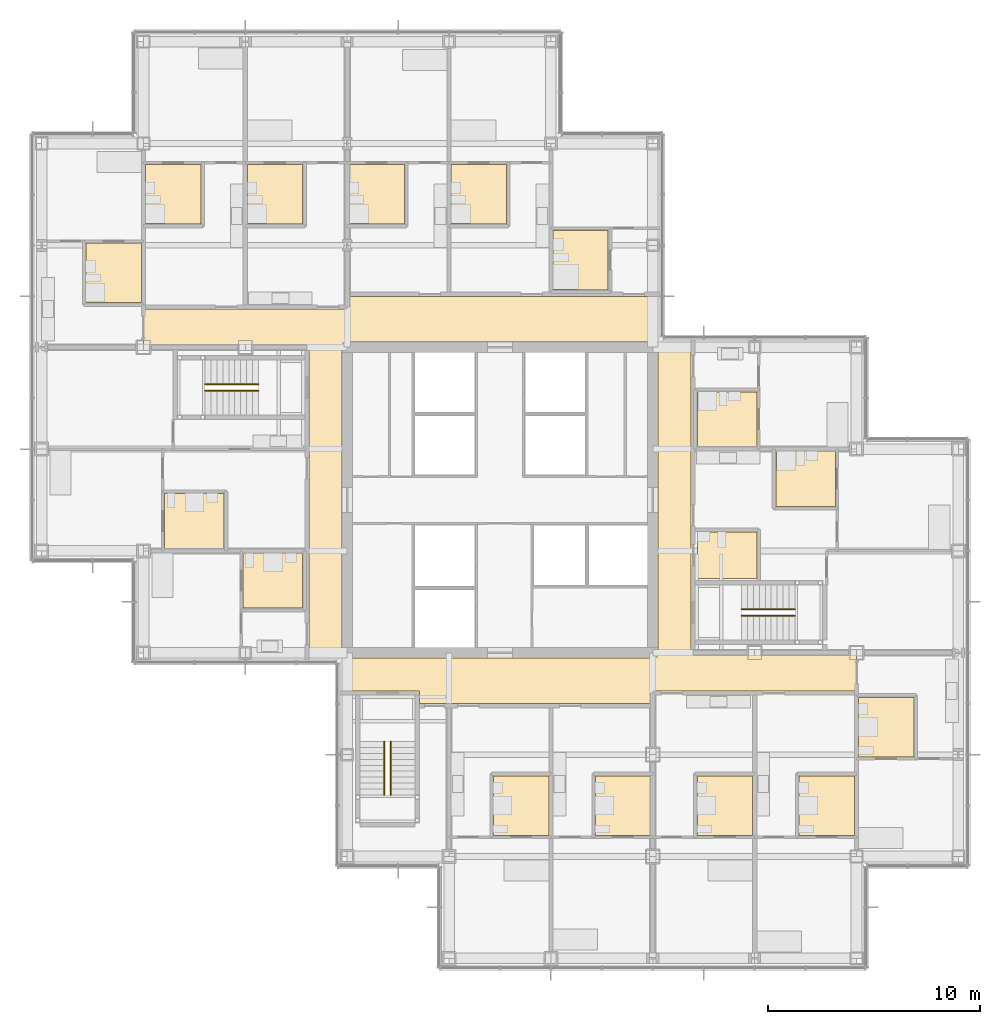
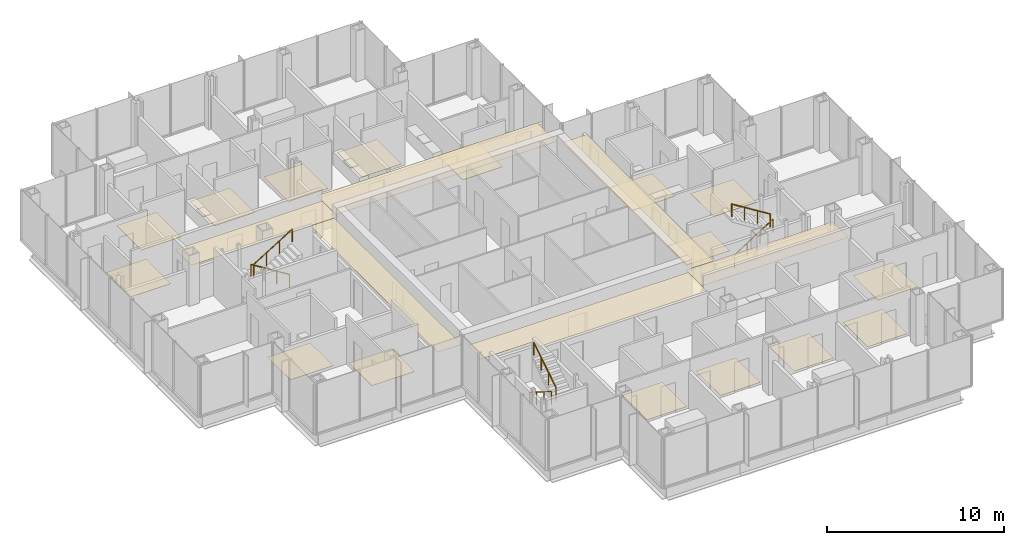
# One storey, part 17 of 19: 22 coverings, 6 railings.
"""IFC4 building model written with IfcOpenShell, lengths in metres."""

from ifc_helpers import new_model, si_unit, direction, frame, origin, origin_2d, place, context, subcontext, project, spatial, polyline, circle, outline, extrude, material, layer, layer_set, type_object, element, save


model = new_model("IFC4")

# Units and contexts
model_context = context("Model", 3, precision=1e-05, world=origin(), true_north=direction((0.0, 1.0)))
body_context = subcontext(model_context, "Body", "Model", "MODEL_VIEW")
ifc_project = project(units=[si_unit("LENGTHUNIT", "METRE"), si_unit("AREAUNIT", "SQUARE_METRE"), si_unit("VOLUMEUNIT", "CUBIC_METRE"), si_unit("PLANEANGLEUNIT", "RADIAN"), si_unit("MASSUNIT", "GRAM", prefix="KILO")], contexts=[model_context])

# Site, building, storey
site_placement = place(None, origin())
site = spatial("IfcSite", under=ifc_project, at=site_placement, CompositionType="ELEMENT")
building_placement = place(site_placement, origin())
building = spatial("IfcBuilding", under=site, at=building_placement, Name="Kvirike Care Tower", CompositionType="ELEMENT")
storey_placement = place(building_placement, frame((0.0, 0.0, 87.5)))
storey = spatial("IfcBuildingStorey", under=building, at=storey_placement, Name="L23", CompositionType="ELEMENT", Elevation=87.5)

# Coverings
ifc_material_1 = material(Name="Perforated metal ceiling tile", Category="aluminium")
ifc_layer_1 = layer(ifc_material_1, 0.014892578125)
ifc_layer_set_1 = layer_set([ifc_layer_1], Name="CORRIDOR CEILING 15")
covering_type_1 = type_object("IfcCoveringType", Name="CORRIDOR CEILING 15", PredefinedType="CEILING", material=ifc_layer_set_1)
covering_1_placement = place(storey_placement, frame((0.0, 0.0, 2.5)))
element("IfcCovering", 1, at=covering_1_placement, inside=storey, type_object=covering_type_1, Name="Corridor ceiling L23", PredefinedType="CEILING", context=body_context, shape_type="SweptSolid", body=[
    extrude(outline(polyline([(12.60009765625, 43.199951171875), (14.14990234375, 43.199951171875), (14.14990234375, 28.800048828125), (12.60009765625, 28.800048828125), (12.60009765625, 43.199951171875)])), origin(), (0.0, 0.0, 1.0), 0.014892578125),
])
covering_2_placement = place(storey_placement, frame((0.0, 0.0, 2.5)))
element("IfcCovering", 2, at=covering_2_placement, inside=storey, type_object=covering_type_1, Name="Corridor ceiling L23", PredefinedType="CEILING", context=body_context, shape_type="SweptSolid", body=[
    extrude(outline(polyline([(14.39990234375, 45.0), (14.39990234375, 43.199951171875), (4.800048828125, 43.199951171875), (4.800048828125, 45.0), (14.39990234375, 45.0)])), origin(), (0.0, 0.0, 1.0), 0.014892578125),
])
covering_3_placement = place(storey_placement, frame((0.0, 0.0, 2.5)))
element("IfcCovering", 3, at=covering_3_placement, inside=storey, type_object=covering_type_1, Name="Corridor ceiling L23", PredefinedType="CEILING", context=body_context, shape_type="SweptSolid", body=[
    extrude(outline(polyline([(14.39990234375, 28.550048828125), (28.800048828125, 28.550048828125), (28.800048828125, 26.39990234375), (17.800048828125, 26.39990234375), (17.800048828125, 27.0), (14.39990234375, 27.0), (14.39990234375, 28.550048828125)])), origin(), (0.0, 0.0, 1.0), 0.014892578125),
])
covering_4_placement = place(storey_placement, frame((0.0, 0.0, 2.5)))
element("IfcCovering", 4, at=covering_4_placement, inside=storey, type_object=covering_type_1, Name="Corridor ceiling L23", PredefinedType="CEILING", context=body_context, shape_type="SweptSolid", body=[
    extrude(outline(polyline([(28.800048828125, 45.60009765625), (28.800048828125, 43.449951171875), (14.39990234375, 43.449951171875), (14.39990234375, 45.60009765625), (28.800048828125, 45.60009765625)])), origin(), (0.0, 0.0, 1.0), 0.014892578125),
])
covering_5_placement = place(storey_placement, frame((0.0, 0.0, 2.5)))
element("IfcCovering", 5, at=covering_5_placement, inside=storey, type_object=covering_type_1, Name="Corridor ceiling L23", PredefinedType="CEILING", context=body_context, shape_type="SweptSolid", body=[
    extrude(outline(polyline([(28.800048828125, 27.0), (28.800048828125, 28.800048828125), (38.39990234375, 28.800048828125), (38.39990234375, 27.0), (28.800048828125, 27.0)])), origin(), (0.0, 0.0, 1.0), 0.014892578125),
])
covering_6_placement = place(storey_placement, frame((0.0, 0.0, 2.5)))
element("IfcCovering", 6, at=covering_6_placement, inside=storey, type_object=covering_type_1, Name="Corridor ceiling L23", PredefinedType="CEILING", context=body_context, shape_type="SweptSolid", body=[
    extrude(outline(polyline([(30.60009765625, 28.800048828125), (29.050048828125, 28.800048828125), (29.050048828125, 43.199951171875), (30.60009765625, 43.199951171875), (30.60009765625, 28.800048828125)])), origin(), (0.0, 0.0, 1.0), 0.014892578125),
])

# Railings
ifc_material_2 = material(Name="Stainless steel handrail", Category="steel")
railing_type = type_object("IfcRailingType", Name="STAIR HANDRAIL 900", PredefinedType="HANDRAIL", material=ifc_material_2)
railing_1_placement = place(storey_placement, frame((10.219970703125, 41.449951171875, 0.175048828125)))
element("IfcRailing", 7, at=railing_1_placement, inside=storey, type_object=railing_type, Name="Stair 1 handrail L23 flight 1", PredefinedType="HANDRAIL", context=body_context, shape_type="SweptSolid", body=[
    extrude(circle(Radius=0.02490234375, at=origin_2d()), frame((0.0, 0.0, 0.875), z_axis=(-0.848007534815, 0.0, 0.529984170421), x_axis=(0.0, -1.0, 0.0)), (0.0, 0.0, 1.0), 2.9716796875),
    extrude(circle(Radius=0.02001953125, at=origin_2d()), origin(), (0.0, 0.0, 1.0), 0.849853515625),
    extrude(circle(Radius=0.02001953125, at=origin_2d()), frame((-0.840087890625, 0.0, 0.52490234375)), (0.0, 0.0, 1.0), 0.849853515625),
    extrude(circle(Radius=0.02001953125, at=origin_2d()), frame((-1.679931640625, 0.0, 1.050048828125)), (0.0, 0.0, 1.0), 0.849853515625),
    extrude(circle(Radius=0.02001953125, at=origin_2d()), frame((-2.52001953125, 0.0, 1.574951171875)), (0.0, 0.0, 1.0), 0.849853515625),
])
for number, where, name in (
    (8, (7.699951171875, 41.14990234375, 1.925048828125), "Stair 1 handrail L23 flight 2"),
    (9, (32.97998046875, 30.550048828125, 0.175048828125), "Stair 2 handrail L23 flight 1"),
):
    element("IfcRailing", number, at=place(storey_placement, frame(where)), inside=storey, type_object=railing_type, Name=name, PredefinedType="HANDRAIL", context=body_context, shape_type="SweptSolid", body=[
        extrude(circle(Radius=0.02490234375, at=origin_2d()), frame((0.0, 0.0, 0.875), z_axis=(0.848007534815, 0.0, 0.529984170421), x_axis=(0.0, 1.0, 0.0)), (0.0, 0.0, 1.0), 2.9716796875),
        extrude(circle(Radius=0.02001953125, at=origin_2d()), origin(), (0.0, 0.0, 1.0), 0.849853515625),
        extrude(circle(Radius=0.02001953125, at=origin_2d()), frame((0.840087890625, 0.0, 0.52490234375)), (0.0, 0.0, 1.0), 0.849853515625),
        extrude(circle(Radius=0.02001953125, at=origin_2d()), frame((1.679931640625, 0.0, 1.050048828125)), (0.0, 0.0, 1.0), 0.849853515625),
        extrude(circle(Radius=0.02001953125, at=origin_2d()), frame((2.52001953125, 0.0, 1.574951171875)), (0.0, 0.0, 1.0), 0.849853515625),
    ])
railing_2_placement = place(storey_placement, frame((35.5, 30.85009765625, 1.925048828125)))
element("IfcRailing", 10, at=railing_2_placement, inside=storey, type_object=railing_type, Name="Stair 2 handrail L23 flight 2", PredefinedType="HANDRAIL", context=body_context, shape_type="SweptSolid", body=[
    extrude(circle(Radius=0.02490234375, at=origin_2d()), frame((0.0, 0.0, 0.875), z_axis=(-0.848007534815, 0.0, 0.529984170421), x_axis=(0.0, -1.0, 0.0)), (0.0, 0.0, 1.0), 2.9716796875),
    extrude(circle(Radius=0.02001953125, at=origin_2d()), origin(), (0.0, 0.0, 1.0), 0.849853515625),
    extrude(circle(Radius=0.02001953125, at=origin_2d()), frame((-0.840087890625, 0.0, 0.52490234375)), (0.0, 0.0, 1.0), 0.849853515625),
    extrude(circle(Radius=0.02001953125, at=origin_2d()), frame((-1.679931640625, 0.0, 1.050048828125)), (0.0, 0.0, 1.0), 0.849853515625),
    extrude(circle(Radius=0.02001953125, at=origin_2d()), frame((-2.52001953125, 0.0, 1.574951171875)), (0.0, 0.0, 1.0), 0.849853515625),
])
railing_3_placement = place(storey_placement, frame((16.14990234375, 24.6201171875, 0.175048828125)))
element("IfcRailing", 11, at=railing_3_placement, inside=storey, type_object=railing_type, Name="Stair 5 handrail L23 flight 1", PredefinedType="HANDRAIL", context=body_context, shape_type="SweptSolid", body=[
    extrude(circle(Radius=0.02490234375, at=origin_2d()), frame((0.0, 0.0, 0.875), z_axis=(0.0, -0.848007534815, 0.529984170421), x_axis=(1.0, 0.0, 0.0)), (0.0, 0.0, 1.0), 2.9716796875),
    extrude(circle(Radius=0.02001953125, at=origin_2d()), origin(), (0.0, 0.0, 1.0), 0.849853515625),
    extrude(circle(Radius=0.02001953125, at=origin_2d()), frame((0.0, -0.840087890625, 0.52490234375)), (0.0, 0.0, 1.0), 0.849853515625),
    extrude(circle(Radius=0.02001953125, at=origin_2d()), frame((0.0, -1.679931640625, 1.050048828125)), (0.0, 0.0, 1.0), 0.849853515625),
    extrude(circle(Radius=0.02001953125, at=origin_2d()), frame((0.0, -2.52001953125, 1.574951171875)), (0.0, 0.0, 1.0), 0.849853515625),
])
railing_4_placement = place(storey_placement, frame((16.449951171875, 22.10009765625, 1.925048828125)))
element("IfcRailing", 12, at=railing_4_placement, inside=storey, type_object=railing_type, Name="Stair 5 handrail L23 flight 2", PredefinedType="HANDRAIL", context=body_context, shape_type="SweptSolid", body=[
    extrude(circle(Radius=0.02490234375, at=origin_2d()), frame((0.0, 0.0, 0.875), z_axis=(0.0, 0.848007534815, 0.529984170421), x_axis=(-1.0, 0.0, 0.0)), (0.0, 0.0, 1.0), 2.9716796875),
    extrude(circle(Radius=0.02001953125, at=origin_2d()), origin(), (0.0, 0.0, 1.0), 0.849853515625),
    extrude(circle(Radius=0.02001953125, at=origin_2d()), frame((0.0, 0.840087890625, 0.52490234375)), (0.0, 0.0, 1.0), 0.849853515625),
    extrude(circle(Radius=0.02001953125, at=origin_2d()), frame((0.0, 1.679931640625, 1.050048828125)), (0.0, 0.0, 1.0), 0.849853515625),
    extrude(circle(Radius=0.02001953125, at=origin_2d()), frame((0.0, 2.52001953125, 1.574951171875)), (0.0, 0.0, 1.0), 0.849853515625),
])

# Coverings
ifc_material_3 = material(Name="Slip-resistant vinyl safety flooring on screed")
ifc_layer_2 = layer(ifc_material_3, 0.02001953125)
ifc_layer_set_2 = layer_set([ifc_layer_2], Name="WET ROOM FLOOR 20")
covering_type_2 = type_object("IfcCoveringType", Name="WET ROOM FLOOR 20", PredefinedType="FLOORING", material=ifc_layer_set_2)
covering_7_placement = place(storey_placement, origin())
element("IfcCovering", 13, at=covering_7_placement, inside=storey, type_object=covering_type_2, Name="En-suite floor L23-005", PredefinedType="FLOORING", context=body_context, shape_type="SweptSolid", body=[
    extrude(outline(polyline([(5.800048828125, 36.300048828125), (8.60009765625, 36.300048828125), (8.60009765625, 33.699951171875), (5.800048828125, 33.699951171875), (5.800048828125, 36.300048828125)])), origin(), (0.0, 0.0, 1.0), 0.02001953125),
])
covering_8_placement = place(storey_placement, origin())
element("IfcCovering", 14, at=covering_8_placement, inside=storey, type_object=covering_type_2, Name="En-suite floor L23-009", PredefinedType="FLOORING", context=body_context, shape_type="SweptSolid", body=[
    extrude(outline(polyline([(9.5, 33.5), (12.300048828125, 33.5), (12.300048828125, 30.89990234375), (9.5, 30.89990234375), (9.5, 33.5)])), origin(), (0.0, 0.0, 1.0), 0.02001953125),
])
covering_9_placement = place(storey_placement, origin())
element("IfcCovering", 15, at=covering_9_placement, inside=storey, type_object=covering_type_2, Name="En-suite floor L23-013", PredefinedType="FLOORING", context=body_context, shape_type="SweptSolid", body=[
    extrude(outline(polyline([(12.300048828125, 51.800048828125), (12.300048828125, 49.0), (9.699951171875, 49.0), (9.699951171875, 51.800048828125), (12.300048828125, 51.800048828125)])), origin(), (0.0, 0.0, 1.0), 0.02001953125),
])
covering_10_placement = place(storey_placement, origin())
element("IfcCovering", 16, at=covering_10_placement, inside=storey, type_object=covering_type_2, Name="En-suite floor L23-016", PredefinedType="FLOORING", context=body_context, shape_type="SweptSolid", body=[
    extrude(outline(polyline([(7.5, 51.800048828125), (7.5, 49.0), (4.89990234375, 49.0), (4.89990234375, 51.800048828125), (7.5, 51.800048828125)])), origin(), (0.0, 0.0, 1.0), 0.02001953125),
])
covering_11_placement = place(storey_placement, origin())
element("IfcCovering", 17, at=covering_11_placement, inside=storey, type_object=covering_type_2, Name="En-suite floor L23-019", PredefinedType="FLOORING", context=body_context, shape_type="SweptSolid", body=[
    extrude(outline(polyline([(4.699951171875, 48.10009765625), (4.699951171875, 45.300048828125), (2.10009765625, 45.300048828125), (2.10009765625, 48.10009765625), (4.699951171875, 48.10009765625)])), origin(), (0.0, 0.0, 1.0), 0.02001953125),
])
covering_12_placement = place(storey_placement, origin())
element("IfcCovering", 18, at=covering_12_placement, inside=storey, type_object=covering_type_2, Name="En-suite floor L23-025", PredefinedType="FLOORING", context=body_context, shape_type="SweptSolid", body=[
    extrude(outline(polyline([(21.300048828125, 20.199951171875), (21.300048828125, 23.0), (23.89990234375, 23.0), (23.89990234375, 20.199951171875), (21.300048828125, 20.199951171875)])), origin(), (0.0, 0.0, 1.0), 0.02001953125),
])
covering_13_placement = place(storey_placement, origin())
element("IfcCovering", 19, at=covering_13_placement, inside=storey, type_object=covering_type_2, Name="En-suite floor L23-028", PredefinedType="FLOORING", context=body_context, shape_type="SweptSolid", body=[
    extrude(outline(polyline([(26.10009765625, 20.199951171875), (26.10009765625, 23.0), (28.699951171875, 23.0), (28.699951171875, 20.199951171875), (26.10009765625, 20.199951171875)])), origin(), (0.0, 0.0, 1.0), 0.02001953125),
])
covering_14_placement = place(storey_placement, origin())
element("IfcCovering", 20, at=covering_14_placement, inside=storey, type_object=covering_type_2, Name="Assisted bathroom floor L23-032", PredefinedType="FLOORING", context=body_context, shape_type="SweptSolid", body=[
    extrude(outline(polyline([(26.699951171875, 48.699951171875), (26.699951171875, 45.89990234375), (24.10009765625, 45.89990234375), (24.10009765625, 48.699951171875), (26.699951171875, 48.699951171875)])), origin(), (0.0, 0.0, 1.0), 0.02001953125),
])
covering_15_placement = place(storey_placement, origin())
element("IfcCovering", 21, at=covering_15_placement, inside=storey, type_object=covering_type_2, Name="En-suite floor L23-035", PredefinedType="FLOORING", context=body_context, shape_type="SweptSolid", body=[
    extrude(outline(polyline([(21.89990234375, 51.800048828125), (21.89990234375, 49.0), (19.300048828125, 49.0), (19.300048828125, 51.800048828125), (21.89990234375, 51.800048828125)])), origin(), (0.0, 0.0, 1.0), 0.02001953125),
])
covering_16_placement = place(storey_placement, origin())
element("IfcCovering", 22, at=covering_16_placement, inside=storey, type_object=covering_type_2, Name="En-suite floor L23-038", PredefinedType="FLOORING", context=body_context, shape_type="SweptSolid", body=[
    extrude(outline(polyline([(17.10009765625, 51.800048828125), (17.10009765625, 49.0), (14.5, 49.0), (14.5, 51.800048828125), (17.10009765625, 51.800048828125)])), origin(), (0.0, 0.0, 1.0), 0.02001953125),
])
covering_17_placement = place(storey_placement, origin())
element("IfcCovering", 23, at=covering_17_placement, inside=storey, type_object=covering_type_2, Name="En-suite floor L23-042", PredefinedType="FLOORING", context=body_context, shape_type="SweptSolid", body=[
    extrude(outline(polyline([(30.89990234375, 20.199951171875), (30.89990234375, 23.0), (33.5, 23.0), (33.5, 20.199951171875), (30.89990234375, 20.199951171875)])), origin(), (0.0, 0.0, 1.0), 0.02001953125),
])
covering_18_placement = place(storey_placement, origin())
element("IfcCovering", 24, at=covering_18_placement, inside=storey, type_object=covering_type_2, Name="En-suite floor L23-045", PredefinedType="FLOORING", context=body_context, shape_type="SweptSolid", body=[
    extrude(outline(polyline([(35.699951171875, 20.199951171875), (35.699951171875, 23.0), (38.300048828125, 23.0), (38.300048828125, 20.199951171875), (35.699951171875, 20.199951171875)])), origin(), (0.0, 0.0, 1.0), 0.02001953125),
])
covering_19_placement = place(storey_placement, origin())
element("IfcCovering", 25, at=covering_19_placement, inside=storey, type_object=covering_type_2, Name="En-suite floor L23-048", PredefinedType="FLOORING", context=body_context, shape_type="SweptSolid", body=[
    extrude(outline(polyline([(38.5, 23.89990234375), (38.5, 26.699951171875), (41.10009765625, 26.699951171875), (41.10009765625, 23.89990234375), (38.5, 23.89990234375)])), origin(), (0.0, 0.0, 1.0), 0.02001953125),
])
covering_20_placement = place(storey_placement, origin())
element("IfcCovering", 26, at=covering_20_placement, inside=storey, type_object=covering_type_2, Name="Accessible WC floor L23-054", PredefinedType="FLOORING", context=body_context, shape_type="SweptSolid", body=[
    extrude(outline(polyline([(33.699951171875, 32.300048828125), (30.89990234375, 32.300048828125), (30.89990234375, 34.5), (33.699951171875, 34.5), (33.699951171875, 32.300048828125)])), origin(), (0.0, 0.0, 1.0), 0.02001953125),
])
covering_21_placement = place(storey_placement, origin())
element("IfcCovering", 27, at=covering_21_placement, inside=storey, type_object=covering_type_2, Name="En-suite floor L23-055", PredefinedType="FLOORING", context=body_context, shape_type="SweptSolid", body=[
    extrude(outline(polyline([(37.39990234375, 35.699951171875), (34.60009765625, 35.699951171875), (34.60009765625, 38.300048828125), (37.39990234375, 38.300048828125), (37.39990234375, 35.699951171875)])), origin(), (0.0, 0.0, 1.0), 0.02001953125),
])
covering_22_placement = place(storey_placement, origin())
element("IfcCovering", 28, at=covering_22_placement, inside=storey, type_object=covering_type_2, Name="En-suite floor L23-058", PredefinedType="FLOORING", context=body_context, shape_type="SweptSolid", body=[
    extrude(outline(polyline([(33.699951171875, 38.5), (30.89990234375, 38.5), (30.89990234375, 41.10009765625), (33.699951171875, 41.10009765625), (33.699951171875, 38.5)])), origin(), (0.0, 0.0, 1.0), 0.02001953125),
])

save(model, "model.ifc")
